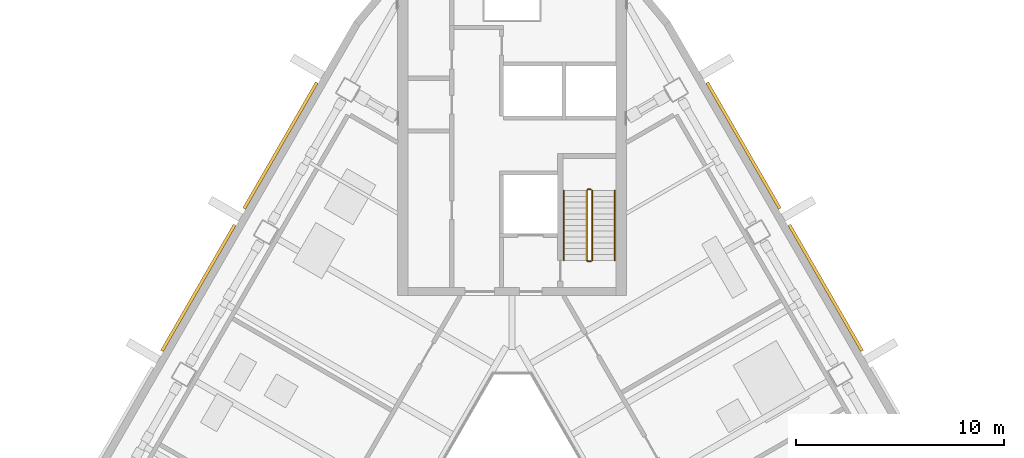
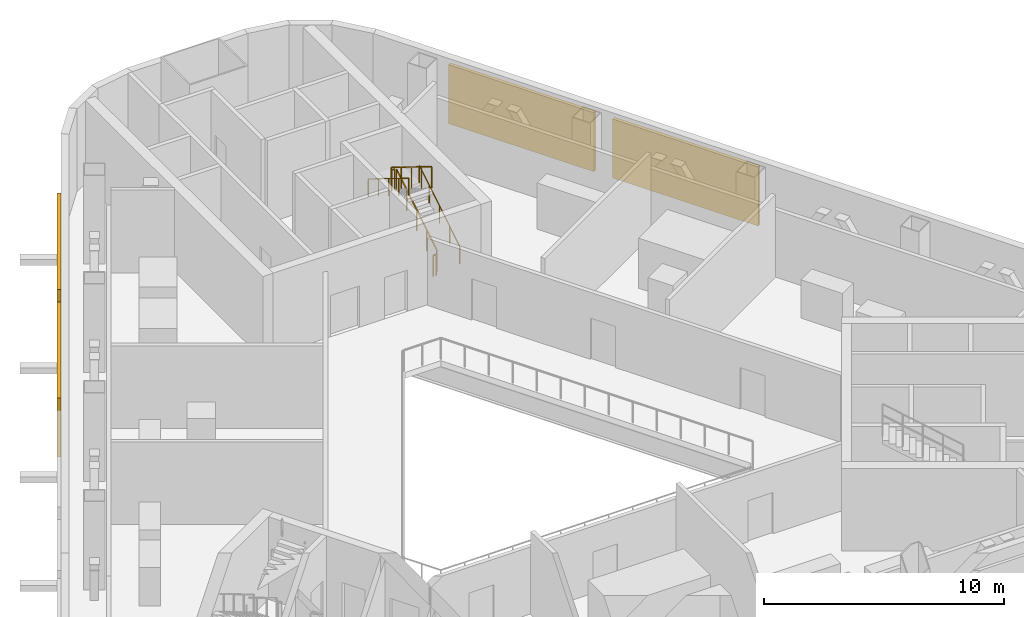
# One storey, part 14 of 15: 6 railings, 4 shading devices.
"""IFC4 building model written with IfcOpenShell, lengths in metres."""

import ifcopenshell
import ifcopenshell.guid

model = None  # the IFC model being written
_history = None  # IfcOwnerHistory: only IFC2X3 demands one
_inside = {}  # id of a spatial element -> (the spatial element, [elements in it])
_under = {}  # id of a project, library or spatial element -> (it, [spatial elements below it])
_declared = {}  # id of a project -> (the project, [libraries it declares])
_typed = {}  # id of a type object -> (the type object, [elements of that type])
_made_of = {}  # id of a material, layer set ... -> (it, [elements and type objects made of it])


def new_model(schema):
    """Start an empty IFC model of exactly this schema.

    Asked for "IFC4X3", IfcOpenShell would pick the latest addendum, in which some entities
    have other attributes; the version numbers below select the first issue.
    IFC2X3 requires an IfcOwnerHistory on every rooted entity: one is made here for all.
    """
    global model, _history
    if schema == "IFC4X3":
        model = ifcopenshell.file(schema_version=(4, 3, 0, 0))
    else:
        model = ifcopenshell.file(schema=schema)
    _inside.clear()
    _under.clear()
    _declared.clear()
    _typed.clear()
    _made_of.clear()
    _history = None
    if model.schema == "IFC2X3":
        org = make("IfcOrganization", Name="unknown")
        user = make(
            "IfcPersonAndOrganization",
            ThePerson=make("IfcPerson", FamilyName="unknown"),
            TheOrganization=org,
        )
        app = make(
            "IfcApplication",
            ApplicationDeveloper=org,
            Version="unknown",
            ApplicationFullName="unknown",
            ApplicationIdentifier="unknown",
        )
        _history = make(
            "IfcOwnerHistory",
            OwningUser=user,
            OwningApplication=app,
            ChangeAction="ADDED",
            CreationDate=0,
        )
    return model


def make(cls, **values):
    """One entity of the class cls with the attributes given. An attribute that is None is left unset."""
    return model.create_entity(
        cls, **{name: value for name, value in values.items() if value is not None}
    )


def rooted(cls, **values):
    """An entity with a GlobalId (a new one), such as an element, a storey or a relation."""
    return make(cls, GlobalId=ifcopenshell.guid.new(), OwnerHistory=_history, **values)


def si_unit(unit_type, name, prefix=None):
    """IfcSIUnit, for example si_unit("LENGTHUNIT", "METRE", prefix="MILLI")."""
    return make("IfcSIUnit", UnitType=unit_type, Prefix=prefix, Name=name)


def assignment(units):
    """IfcUnitAssignment: the units of a project."""
    return None if units is None else make("IfcUnitAssignment", Units=units)


def point(xyz):
    """IfcCartesianPoint."""
    return None if xyz is None else make("IfcCartesianPoint", Coordinates=xyz)


def direction(xyz):
    """IfcDirection."""
    return None if xyz is None else make("IfcDirection", DirectionRatios=xyz)


def frame(location, z_axis=None, x_axis=None):
    """IfcAxis2Placement3D, a coordinate frame: its origin and axes. An axis left out is left unset."""
    return make(
        "IfcAxis2Placement3D",
        Location=point(location),
        Axis=direction(z_axis),
        RefDirection=direction(x_axis),
    )


def frame_2d(location, x_axis=None):
    """IfcAxis2Placement2D, a coordinate frame in the plane: its origin and x axis."""
    return make(
        "IfcAxis2Placement2D", Location=point(location), RefDirection=direction(x_axis)
    )


def origin():
    """The frame at (0, 0, 0) with its axes left unset."""
    return frame((0.0, 0.0, 0.0))


def origin_2d():
    """The frame at (0, 0) in the plane with its x axis left unset."""
    return frame_2d((0.0, 0.0))


def place(relative_to, where):
    """IfcLocalPlacement: puts the frame where relative to a parent placement (None: the world)."""
    return make(
        "IfcLocalPlacement", PlacementRelTo=relative_to, RelativePlacement=where
    )


def context(
    kind, dimensions, precision=None, world=None, true_north=None, identifier=None
):
    """IfcGeometricRepresentationContext, for example the 3D "Model" context."""
    return make(
        "IfcGeometricRepresentationContext",
        ContextIdentifier=identifier,
        ContextType=kind,
        CoordinateSpaceDimension=dimensions,
        Precision=precision,
        WorldCoordinateSystem=world,
        TrueNorth=true_north,
    )


def subcontext(parent, identifier, kind, view, scale=None):
    """IfcGeometricRepresentationSubContext, for example "Body" below "Model"."""
    return make(
        "IfcGeometricRepresentationSubContext",
        ContextIdentifier=identifier,
        ContextType=kind,
        ParentContext=parent,
        TargetScale=scale,
        TargetView=view,
    )


def project(units=None, contexts=None):
    """IfcProject with its units and contexts."""
    return rooted(
        "IfcProject",
        Name="project",
        RepresentationContexts=contexts,
        UnitsInContext=assignment(units),
    )


def spatial(cls, under=None, at=None, **own):
    """A site, building, storey or space (cls), placed at a placement, below another one or the project."""
    s = rooted(cls, ObjectPlacement=at, **own)
    if under is not None:
        _under.setdefault(under.id(), (under, []))[1].append(s)
    return s


def profile(cls, at=None, kind="AREA", **sizes):
    """A parametric profile (cls). Its sizes go by their IFC names, for example OverallWidth=200.0."""
    return make(cls, ProfileType=kind, Position=at, **sizes)


def rectangle(**sizes):
    """IfcRectangleProfileDef."""
    return profile("IfcRectangleProfileDef", **sizes)


def circle(**sizes):
    """IfcCircleProfileDef."""
    return profile("IfcCircleProfileDef", **sizes)


def extrude(swept, where, along, depth):
    """IfcExtrudedAreaSolid: the profile swept, set in the frame where, extruded along a direction by depth."""
    return make(
        "IfcExtrudedAreaSolid",
        SweptArea=swept,
        Position=where,
        ExtrudedDirection=direction(along),
        Depth=depth,
    )


def shape(context_of_items, identifier, shape_type, items):
    """IfcShapeRepresentation: the items that make up one representation, for example the "Body"."""
    return make(
        "IfcShapeRepresentation",
        ContextOfItems=context_of_items,
        RepresentationIdentifier=identifier,
        RepresentationType=shape_type,
        Items=items,
    )


def material(Name=None, Category=None):
    """IfcMaterial."""
    return make("IfcMaterial", Name=Name, Category=Category)


def made_of(thing, what):
    """Note that an element or type object is made of a material, layer set ...; save() writes the relation."""
    if what is not None:
        _made_of.setdefault(what.id(), (what, []))[1].append(thing)
    return thing


def type_object(cls, material=None, **own):
    """A type object (cls), such as IfcWallType, which elements share."""
    return made_of(rooted(cls, **own), material)


def element(
    cls,
    number,
    at=None,
    inside=None,
    cuts=None,
    type_object=None,
    material=None,
    context=None,
    identifier="Body",
    shape_type=None,
    held_by="IfcProductDefinitionShape",
    body=None,
    shapes=None,
    **own,
):
    """One element of the class cls, such as IfcWall. Its Tag is "e" and its number.

    at: its placement. inside: the storey or other place that contains it. cuts: it is an
    opening in that element (IfcRelVoidsElement). A single representation is given by context,
    identifier, shape_type and body (its items); several are given by shapes. held_by: the class
    of the entity that holds the representations. save() writes the other relations.
    """
    e = rooted(cls, Tag="e%d" % number, ObjectPlacement=at, **own)
    if body is not None:
        shapes = [shape(context, identifier, shape_type, body)]
    if shapes is not None:
        e.Representation = make(held_by, Representations=shapes)
    if inside is not None:
        _inside.setdefault(inside.id(), (inside, []))[1].append(e)
    if cuts is not None:
        rooted(
            "IfcRelVoidsElement", RelatingBuildingElement=cuts, RelatedOpeningElement=e
        )
    if type_object is not None:
        _typed.setdefault(type_object.id(), (type_object, []))[1].append(e)
    return made_of(e, material)


def aggregate(whole, parts):
    """IfcRelAggregates: a whole, such as a stair, and the parts it consists of."""
    return rooted("IfcRelAggregates", RelatingObject=whole, RelatedObjects=parts)


def save(model, path):
    """Write the relations noted so far, then the file.

    IfcRelAggregates (storeys below a building ...), IfcRelContainedInSpatialStructure (elements
    in a storey), IfcRelDefinesByType, IfcRelAssociatesMaterial and IfcRelDeclares: one each for
    every whole, place, type object, material and project.
    """
    for whole, parts in _under.values():
        aggregate(whole, parts)
    for where, things in _inside.values():
        rooted(
            "IfcRelContainedInSpatialStructure",
            RelatedElements=things,
            RelatingStructure=where,
        )
    for kind, things in _typed.values():
        rooted("IfcRelDefinesByType", RelatedObjects=things, RelatingType=kind)
    for what, things in _made_of.values():
        rooted("IfcRelAssociatesMaterial", RelatedObjects=things, RelatingMaterial=what)
    for by, libraries in _declared.values():
        rooted("IfcRelDeclares", RelatingContext=by, RelatedDefinitions=libraries)
    model.write(path)


model = new_model("IFC4")

# Units and contexts
model_context = context("Model", 3, precision=1e-05, world=origin(), true_north=direction((0.0, 1.0)))
body_context = subcontext(model_context, "Body", "Model", "MODEL_VIEW")
ifc_project = project(units=[si_unit("LENGTHUNIT", "METRE"), si_unit("AREAUNIT", "SQUARE_METRE"), si_unit("VOLUMEUNIT", "CUBIC_METRE"), si_unit("PLANEANGLEUNIT", "RADIAN"), si_unit("MASSUNIT", "GRAM", prefix="KILO")], contexts=[model_context])

# Site, building, storey
site_placement = place(None, origin())
site = spatial("IfcSite", under=ifc_project, at=site_placement, CompositionType="ELEMENT")
building_placement = place(site_placement, origin())
building = spatial("IfcBuilding", under=site, at=building_placement, Name="Apuvela Tower Hotel", CompositionType="ELEMENT")
storey_placement = place(building_placement, frame((0.0, 0.0, 137.60009765625)))
storey = spatial("IfcBuildingStorey", under=building, at=storey_placement, Name="L32 Plant", CompositionType="ELEMENT", Elevation=137.60009765625)

# Railings
ifc_material_1 = material(Name="Steel S275 balustrade", Category="steel")
railing_type_1 = type_object("IfcRailingType", Name="COR-GUARD-1100", PredefinedType="GUARDRAIL", material=ifc_material_1)
railing_1_placement = place(storey_placement, frame((3.85009765625, 14.60009765625, 0.173095703125)))
element("IfcRailing", 1, at=railing_1_placement, inside=storey, type_object=railing_type_1, Name="L32 Plant ST1 stair guard 1", PredefinedType="GUARDRAIL", context=body_context, shape_type="SweptSolid", body=[
    extrude(rectangle(XDim=0.048095703125, YDim=0.048095703125, at=origin_2d()), frame((0.0, 0.0, 1.076171875), z_axis=(0.0, 0.850606129759, 0.525803396734), x_axis=(-1.0, 0.0, 0.0)), (0.0, 0.0, 1.0), 3.949951171875),
    extrude(rectangle(XDim=0.0419921875, YDim=0.0419921875, at=origin_2d()), origin(), (0.0, 0.0, 1.0), 1.052001953125),
    extrude(rectangle(XDim=0.0419921875, YDim=0.0419921875, at=origin_2d()), frame((0.0, 0.83984375, 0.519287109375)), (0.0, 0.0, 1.0), 1.052001953125),
    extrude(rectangle(XDim=0.0419921875, YDim=0.0419921875, at=origin_2d()), frame((0.0, 1.679931640625, 1.03857421875)), (0.0, 0.0, 1.0), 1.052001953125),
    extrude(rectangle(XDim=0.0419921875, YDim=0.0419921875, at=origin_2d()), frame((0.0, 2.52001953125, 1.5576171875)), (0.0, 0.0, 1.0), 1.052001953125),
    extrude(rectangle(XDim=0.0419921875, YDim=0.0419921875, at=origin_2d()), frame((0.0, 3.35986328125, 2.076904296875)), (0.0, 0.0, 1.0), 1.052001953125),
])
railing_2_placement = place(storey_placement, frame((3.800048828125, 18.010009765625, 2.25)))
element("IfcRailing", 2, at=railing_2_placement, inside=storey, type_object=railing_type_1, Name="L32 Plant ST1 stair guard 2", PredefinedType="GUARDRAIL", context=body_context, shape_type="SweptSolid", body=[
    extrude(rectangle(XDim=0.048095703125, YDim=0.048095703125, at=origin_2d()), frame((0.0, 0.0, 1.076171875), z_axis=(-1.0, 0.0, 0.0), x_axis=(0.0, -1.0, 0.0)), (0.0, 0.0, 1.0), 0.150146484375),
    extrude(rectangle(XDim=0.0419921875, YDim=0.0419921875, at=origin_2d()), origin(), (0.0, 0.0, 1.0), 1.052001953125),
    extrude(rectangle(XDim=0.0419921875, YDim=0.0419921875, at=origin_2d()), frame((-0.150146484375, 0.0, 0.0)), (0.0, 0.0, 1.0), 1.052001953125),
])
railing_3_placement = place(storey_placement, frame((3.60009765625, 17.9599609375, 2.423095703125)))
element("IfcRailing", 3, at=railing_3_placement, inside=storey, type_object=railing_type_1, Name="L32 Plant ST1 stair guard 3", PredefinedType="GUARDRAIL", context=body_context, shape_type="SweptSolid", body=[
    extrude(rectangle(XDim=0.048095703125, YDim=0.048095703125, at=origin_2d()), frame((0.0, 0.0, 1.076171875), z_axis=(0.0, -0.850606129759, 0.525803396734), x_axis=(1.0, 0.0, 0.0)), (0.0, 0.0, 1.0), 3.949951171875),
    extrude(rectangle(XDim=0.0419921875, YDim=0.0419921875, at=origin_2d()), origin(), (0.0, 0.0, 1.0), 1.052001953125),
    extrude(rectangle(XDim=0.0419921875, YDim=0.0419921875, at=origin_2d()), frame((0.0, -0.83984375, 0.519287109375)), (0.0, 0.0, 1.0), 1.052001953125),
    extrude(rectangle(XDim=0.0419921875, YDim=0.0419921875, at=origin_2d()), frame((0.0, -1.679931640625, 1.03857421875)), (0.0, 0.0, 1.0), 1.052001953125),
    extrude(rectangle(XDim=0.0419921875, YDim=0.0419921875, at=origin_2d()), frame((0.0, -2.52001953125, 1.5576171875)), (0.0, 0.0, 1.0), 1.052001953125),
    extrude(rectangle(XDim=0.0419921875, YDim=0.0419921875, at=origin_2d()), frame((0.0, -3.35986328125, 2.076904296875)), (0.0, 0.0, 1.0), 1.052001953125),
])
railing_4_placement = place(storey_placement, frame((3.800048828125, 14.550048828125, 0.0)))
element("IfcRailing", 4, at=railing_4_placement, inside=storey, type_object=railing_type_1, Name="L32 Plant ST1 stair guard 4", PredefinedType="GUARDRAIL", context=body_context, shape_type="SweptSolid", body=[
    extrude(rectangle(XDim=0.048095703125, YDim=0.048095703125, at=origin_2d()), frame((0.0, 0.0, 1.076171875), z_axis=(-1.0, 0.0, 0.0), x_axis=(0.0, -1.0, 0.0)), (0.0, 0.0, 1.0), 0.150146484375),
    extrude(rectangle(XDim=0.0419921875, YDim=0.0419921875, at=origin_2d()), origin(), (0.0, 0.0, 1.0), 1.052001953125),
    extrude(rectangle(XDim=0.0419921875, YDim=0.0419921875, at=origin_2d()), frame((-0.150146484375, 0.0, 0.0)), (0.0, 0.0, 1.0), 1.052001953125),
])
ifc_material_2 = material(Name="Stainless steel 316 handrail", Category="steel")
railing_type_2 = type_object("IfcRailingType", Name="COR-HANDRAIL-900", PredefinedType="HANDRAIL", material=ifc_material_2)
railing_5_placement = place(storey_placement, frame((4.949951171875, 14.60009765625, 0.173095703125)))
element("IfcRailing", 5, at=railing_5_placement, inside=storey, type_object=railing_type_2, Name="L32 Plant ST1 stair handrail 1", PredefinedType="HANDRAIL", context=body_context, shape_type="SweptSolid", body=[
    extrude(circle(Radius=0.02392578125, at=origin_2d()), frame((0.0, 0.0, 0.8759765625), z_axis=(0.0, 0.850606129759, 0.525803396734), x_axis=(-1.0, 0.0, 0.0)), (0.0, 0.0, 1.0), 3.949951171875),
    extrude(rectangle(XDim=0.0419921875, YDim=0.0419921875, at=origin_2d()), origin(), (0.0, 0.0, 1.0), 0.851806640625),
    extrude(rectangle(XDim=0.0419921875, YDim=0.0419921875, at=origin_2d()), frame((0.0, 0.83984375, 0.519287109375)), (0.0, 0.0, 1.0), 0.851806640625),
    extrude(rectangle(XDim=0.0419921875, YDim=0.0419921875, at=origin_2d()), frame((0.0, 1.679931640625, 1.03857421875)), (0.0, 0.0, 1.0), 0.851806640625),
    extrude(rectangle(XDim=0.0419921875, YDim=0.0419921875, at=origin_2d()), frame((0.0, 2.52001953125, 1.5576171875)), (0.0, 0.0, 1.0), 0.851806640625),
    extrude(rectangle(XDim=0.0419921875, YDim=0.0419921875, at=origin_2d()), frame((0.0, 3.35986328125, 2.076904296875)), (0.0, 0.0, 1.0), 0.851806640625),
])
railing_6_placement = place(storey_placement, frame((2.5, 17.9599609375, 2.423095703125)))
element("IfcRailing", 6, at=railing_6_placement, inside=storey, type_object=railing_type_2, Name="L32 Plant ST1 stair handrail 2", PredefinedType="HANDRAIL", context=body_context, shape_type="SweptSolid", body=[
    extrude(circle(Radius=0.02392578125, at=origin_2d()), frame((0.0, 0.0, 0.8759765625), z_axis=(0.0, -0.850606129759, 0.525803396734), x_axis=(1.0, 0.0, 0.0)), (0.0, 0.0, 1.0), 3.949951171875),
    extrude(rectangle(XDim=0.0419921875, YDim=0.0419921875, at=origin_2d()), origin(), (0.0, 0.0, 1.0), 0.851806640625),
    extrude(rectangle(XDim=0.0419921875, YDim=0.0419921875, at=origin_2d()), frame((0.0, -0.83984375, 0.519287109375)), (0.0, 0.0, 1.0), 0.851806640625),
    extrude(rectangle(XDim=0.0419921875, YDim=0.0419921875, at=origin_2d()), frame((0.0, -1.679931640625, 1.03857421875)), (0.0, 0.0, 1.0), 0.851806640625),
    extrude(rectangle(XDim=0.0419921875, YDim=0.0419921875, at=origin_2d()), frame((0.0, -2.52001953125, 1.5576171875)), (0.0, 0.0, 1.0), 0.851806640625),
    extrude(rectangle(XDim=0.0419921875, YDim=0.0419921875, at=origin_2d()), frame((0.0, -3.35986328125, 2.076904296875)), (0.0, 0.0, 1.0), 0.851806640625),
])

# Shading devices
ifc_material_3 = material(Name="Aluminium 6063-T6, black anodised louvre blades", Category="aluminium")
shading_device_type = type_object("IfcShadingDeviceType", Name="ENV-LOUVRE-SCREEN", PredefinedType="USERDEFINED", material=ifc_material_3)
for number, where, z_axis, x_axis, name in (
    (7, (15.090087890625, 13.273193359375, 0.599853515625), (0.0, 0.0, 1.0), (-0.5, 0.866025403784, 0.0), "Plant louvre NE7"),
    (8, (11.14013671875, 20.114990234375, 0.599853515625), (0.0, 0.0, 1.0), (-0.5, 0.866025403784, 0.0), "Plant louvre NE8"),
    (9, (-11.139892578125, 20.114990234375, 0.599853515625), (0.0, 0.0, 1.0), (-0.5, -0.866025403784, 0.0), "Plant louvre NW9"),
    (10, (-15.090087890625, 13.273193359375, 0.599853515625), (0.0, 0.0, 1.0), (-0.5, -0.866025403784, 0.0), "Plant louvre NW10"),
):
    element("IfcShadingDevice", number, at=place(storey_placement, frame(where, z_axis=z_axis, x_axis=x_axis)), inside=storey, type_object=shading_device_type, Name=name, ObjectType="LOUVRE", PredefinedType="USERDEFINED", context=body_context, shape_type="SweptSolid", body=[
        extrude(rectangle(XDim=7.0, YDim=0.14990234375, at=origin_2d()), origin(), (0.0, 0.0, 1.0), 3.0),
    ])

save(model, "model.ifc")
